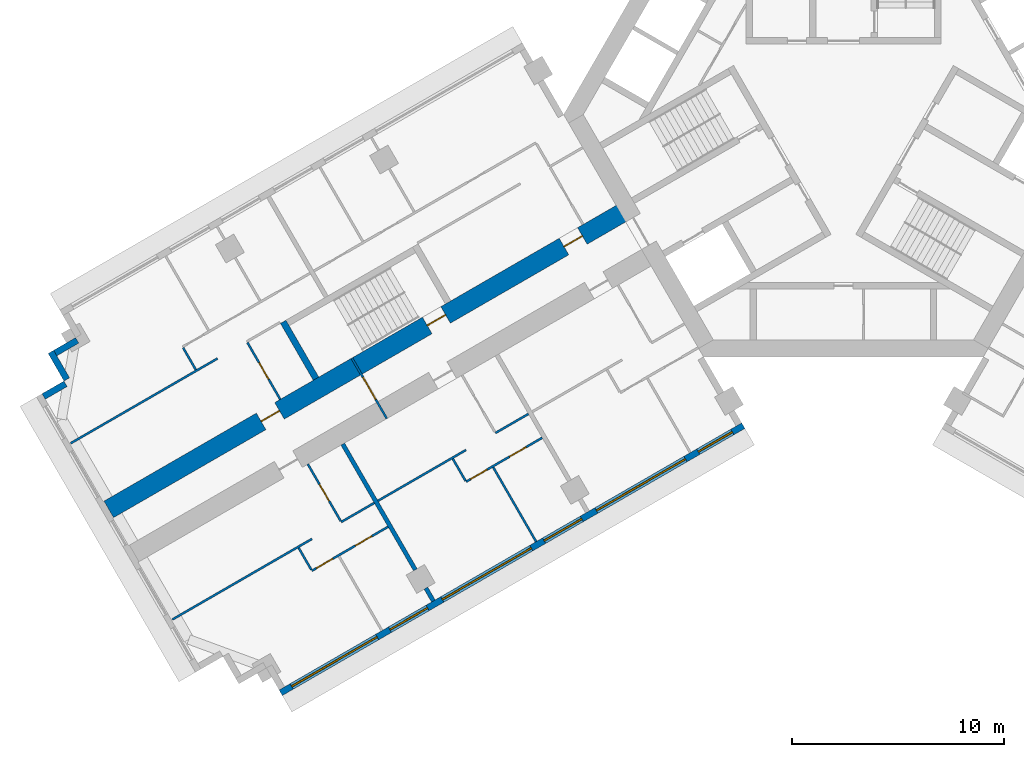
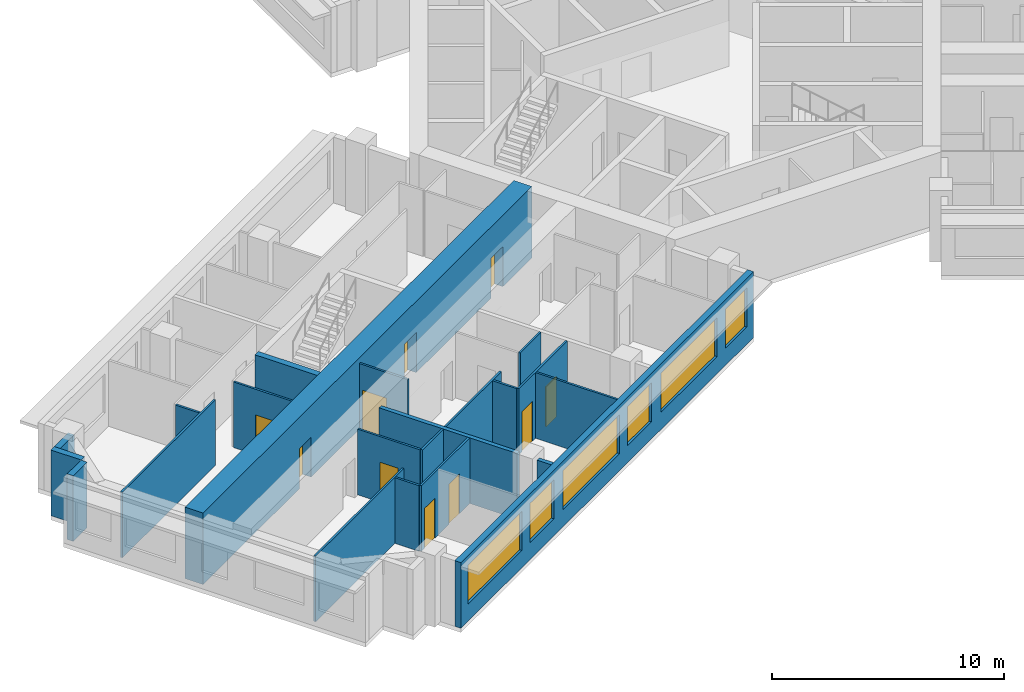
# One storey, part 2 of 12: 22 walls, 10 doors, 6 windows, 16 openings.
"""IFC4 building model written with IfcOpenShell, lengths in metres."""

from ifc_helpers import new_model, si_unit, direction, frame, frame_2d, origin, place, context, subcontext, project, spatial, rectangle, extrude, material, layer, layer_set, type_object, element, fill, save


model = new_model("IFC4")

# Units and contexts
model_context = context("Model", 3, precision=1e-05, world=origin(), true_north=direction((0.0, 1.0)))
body_context = subcontext(model_context, "Body", "Model", "MODEL_VIEW")
ifc_project = project(units=[si_unit("LENGTHUNIT", "METRE"), si_unit("AREAUNIT", "SQUARE_METRE"), si_unit("VOLUMEUNIT", "CUBIC_METRE"), si_unit("PLANEANGLEUNIT", "RADIAN"), si_unit("MASSUNIT", "GRAM", prefix="KILO")], contexts=[model_context])

# Site, building, storey
site_placement = place(None, origin())
site = spatial("IfcSite", under=ifc_project, at=site_placement, CompositionType="ELEMENT")
building_placement = place(site_placement, origin())
building = spatial("IfcBuilding", under=site, at=building_placement, Name="Impinga Residences", CompositionType="ELEMENT")
storey_placement = place(building_placement, frame((0.0, 0.0, 177.25)))
storey = spatial("IfcBuildingStorey", under=building, at=storey_placement, Name="L44", CompositionType="ELEMENT", Elevation=177.25)

# Wall, openings, doors
ifc_material_1 = material(Name="Concrete C60/75", Category="concrete")
ifc_layer_1 = layer(ifc_material_1, 0.89990234375)
ifc_layer_set_1 = layer_set([ifc_layer_1], Name="Concrete C60/75")
wall_type_1 = type_object("IfcWallType", Name="BW2 corridor buttress wall, L24 to L44 900", PredefinedType="SHEAR", material=ifc_layer_set_1)
wall_1_placement = place(storey_placement, frame((-10.153564453125, -4.4765625, 0.0), z_axis=(0.0, 0.0, 1.0), x_axis=(-0.866027127636, -0.49999701419, 0.0)))
wall_1 = element("IfcWall", 1, at=wall_1_placement, inside=storey, type_object=wall_type_1, Name="Corridor wall BW2 WD L44", PredefinedType="SHEAR", context=body_context, shape_type="SweptSolid", body=[
    extrude(rectangle(XDim=28.300048828125, YDim=0.89990234375, at=frame_2d((14.14990234375, 0.0))), origin(), (0.0, 0.0, 1.0), 3.75),
])
opening_1_placement = place(wall_1_placement, frame((9.949951171875, 0.0, 0.0)))
opening_1 = element("IfcOpeningElement", 2, at=opening_1_placement, cuts=wall_1, Name="Opening D5", PredefinedType="OPENING", context=body_context, shape_type="SweptSolid", body=[
    extrude(rectangle(XDim=1.0, YDim=2.10009765625, at=frame_2d((0.5, 1.050048828125))), frame((0.0, 0.4599609375, 0.0), z_axis=(0.0, -1.0, 0.0), x_axis=(1.0, 0.0, 0.0)), (0.0, 0.0, 1.0), 0.919921875),
])
opening_2_placement = place(wall_1_placement, frame((2.5, 0.0, 0.0)))
opening_2 = element("IfcOpeningElement", 3, at=opening_2_placement, cuts=wall_1, Name="Opening D1", PredefinedType="OPENING", context=body_context, shape_type="SweptSolid", body=[
    extrude(rectangle(XDim=1.0, YDim=2.10009765625, at=frame_2d((0.5, 1.050048828125))), frame((0.0, 0.4599609375, 0.0), z_axis=(0.0, -1.0, 0.0), x_axis=(1.0, 0.0, 0.0)), (0.0, 0.0, 1.0), 0.919921875),
])
opening_3_placement = place(wall_1_placement, frame((19.0, 0.0, 0.0)))
opening_3 = element("IfcOpeningElement", 4, at=opening_3_placement, cuts=wall_1, Name="Opening D1", PredefinedType="OPENING", context=body_context, shape_type="SweptSolid", body=[
    extrude(rectangle(XDim=1.0, YDim=2.10009765625, at=frame_2d((0.5, 1.050048828125))), frame((0.0, 0.4599609375, 0.0), z_axis=(0.0, -1.0, 0.0), x_axis=(1.0, 0.0, 0.0)), (0.0, 0.0, 1.0), 0.919921875),
])
ifc_material_2 = material(Name="Timber door set", Category="wood")
door_type_1 = type_object("IfcDoorType", Name="D1 apartment entrance door 1000x2100", OperationType="SINGLE_SWING_LEFT", PredefinedType="DOOR", material=ifc_material_2)
door_1_placement = place(opening_2_placement, origin())
door_1 = element("IfcDoor", 5, at=door_1_placement, inside=storey, type_object=door_type_1, Name="Apartment L44-WF1 entrance", OperationType="SINGLE_SWING_LEFT", OverallHeight=2.10009765625, OverallWidth=1.0, PredefinedType="DOOR", context=body_context, shape_type="SweptSolid", body=[
    extrude(rectangle(XDim=1.0, YDim=2.10009765625, at=frame_2d((0.5, 1.050048828125))), frame((0.0, 0.02490234375, 0.0), z_axis=(0.0, -1.0, 0.0), x_axis=(1.0, 0.0, 0.0)), (0.0, 0.0, 1.0), 0.050048828125),
])
fill(opening_2, door_1)
door_2_placement = place(opening_3_placement, origin())
door_2 = element("IfcDoor", 6, at=door_2_placement, inside=storey, type_object=door_type_1, Name="Apartment L44-WF2 entrance", OperationType="SINGLE_SWING_RIGHT", OverallHeight=2.10009765625, OverallWidth=1.0, PredefinedType="DOOR", context=body_context, shape_type="SweptSolid", body=[
    extrude(rectangle(XDim=1.0, YDim=2.10009765625, at=frame_2d((0.5, 1.050048828125))), frame((0.0, 0.02490234375, 0.0), z_axis=(0.0, -1.0, 0.0), x_axis=(1.0, 0.0, 0.0)), (0.0, 0.0, 1.0), 0.050048828125),
])
fill(opening_3, door_2)
door_type_2 = type_object("IfcDoorType", Name="D5 stair door 1000x2100", OperationType="SINGLE_SWING_LEFT", PredefinedType="DOOR", material=ifc_material_2)
door_3_placement = place(opening_1_placement, origin())
door_3 = element("IfcDoor", 7, at=door_3_placement, inside=storey, type_object=door_type_2, Name="Wing stair door W", OperationType="SINGLE_SWING_LEFT", OverallHeight=2.10009765625, OverallWidth=1.0, PredefinedType="DOOR", context=body_context, shape_type="SweptSolid", body=[
    extrude(rectangle(XDim=1.0, YDim=2.10009765625, at=frame_2d((0.5, 1.050048828125))), frame((0.0, 0.02490234375, 0.0), z_axis=(0.0, -1.0, 0.0), x_axis=(1.0, 0.0, 0.0)), (0.0, 0.0, 1.0), 0.050048828125),
])
fill(opening_1, door_3)

# Wall, opening, door
ifc_material_3 = material(Name="Concrete blockwork", Category="masonry")
ifc_layer_2 = layer(ifc_material_3, 0.10009765625)
ifc_layer_set_2 = layer_set([ifc_layer_2], Name="CP1 core room partition, blockwork 100")
wall_type_2 = type_object("IfcWallType", Name="CP1 core room partition, blockwork 100", PredefinedType="PARTITIONING", material=ifc_layer_set_2)
wall_2_placement = place(storey_placement, frame((-21.545654296875, -14.3447265625, 0.0), z_axis=(0.0, 0.0, 1.0), x_axis=(-0.50002983664, 0.866008176907, 0.0)))
wall_2 = element("IfcWall", 8, at=wall_2_placement, inside=storey, type_object=wall_type_2, Name="Core room partition, blockwork L44:W:PLB", PredefinedType="PARTITIONING", context=body_context, shape_type="SweptSolid", body=[
    extrude(rectangle(XDim=3.300048828125, YDim=0.10009765625, at=frame_2d((1.64990234375, 0.0))), origin(), (0.0, 0.0, 1.0), 3.449951171875),
])
opening_4_placement = place(wall_2_placement, frame((1.050048828125, 0.0, 0.0)))
opening_4 = element("IfcOpeningElement", 9, at=opening_4_placement, cuts=wall_2, Name="Opening D3", PredefinedType="OPENING", context=body_context, shape_type="SweptSolid", body=[
    extrude(rectangle(XDim=1.199951171875, YDim=2.10009765625, at=frame_2d((0.60009765625, 1.050048828125))), frame((0.0, 0.06005859375, 0.0), z_axis=(0.0, -1.0, 0.0), x_axis=(1.0, 0.0, 0.0)), (0.0, 0.0, 1.0), 0.1201171875),
])
door_type_3 = type_object("IfcDoorType", Name="D3 room door, leaf and a half 1200x2100", OperationType="DOUBLE_SWING_LEFT", PredefinedType="DOOR", material=ifc_material_2)
door_4_placement = place(opening_4_placement, origin())
door_4 = element("IfcDoor", 10, at=door_4_placement, inside=storey, type_object=door_type_3, Name="Private lobby door W", OperationType="DOUBLE_SWING_LEFT", OverallHeight=2.10009765625, OverallWidth=1.199951171875, PredefinedType="DOOR", context=body_context, shape_type="SweptSolid", body=[
    extrude(rectangle(XDim=1.199951171875, YDim=2.10009765625, at=frame_2d((0.60009765625, 1.050048828125))), frame((0.0, 0.02490234375, 0.0), z_axis=(0.0, -1.0, 0.0), x_axis=(1.0, 0.0, 0.0)), (0.0, 0.0, 1.0), 0.050048828125),
])
fill(opening_4, door_4)

# Walls
ifc_material_4 = material(Name="Terracotta rainscreen on blockwork", Category="masonry")
ifc_layer_3 = layer(ifc_material_4, 0.300048828125)
ifc_layer_set_3 = layer_set([ifc_layer_3], Name="EW1 external wall, terracotta rainscreen on blockwork 300")
wall_type_3 = type_object("IfcWallType", Name="EW1 external wall, terracotta rainscreen on blockwork 300", PredefinedType="SOLIDWALL", material=ifc_layer_set_3)
wall_3_placement = place(storey_placement, frame((-37.737060546875, -13.300537109375, 0.0), z_axis=(0.0, 0.0, 1.0), x_axis=(0.865971243484, 0.500093796661, 0.0)))
element("IfcWall", 11, at=wall_3_placement, inside=storey, type_object=wall_type_3, Name="External wall EW1 L44", PredefinedType="SOLIDWALL", context=body_context, shape_type="SweptSolid", body=[
    extrude(rectangle(XDim=1.195068359375, YDim=0.300048828125, at=frame_2d((0.59765625, 0.0))), origin(), (0.0, 0.0, 1.0), 3.449951171875),
])
wall_4_placement = place(storey_placement, frame((-36.64306640625, -12.49560546875, 0.0), z_axis=(0.0, 0.0, 1.0), x_axis=(-0.499990139034, 0.866031096941, 0.0)))
element("IfcWall", 12, at=wall_4_placement, inside=storey, type_object=wall_type_3, Name="External wall EW1 L44", PredefinedType="SOLIDWALL", context=body_context, shape_type="SweptSolid", body=[
    extrude(rectangle(XDim=1.5, YDim=0.300048828125, at=frame_2d((0.75, 0.0))), origin(), (0.0, 0.0, 1.0), 3.449951171875),
])
wall_5_placement = place(storey_placement, frame((-37.18798828125, -11.25146484375, 0.0), z_axis=(0.0, 0.0, 1.0), x_axis=(0.866059708757, 0.499940577336, 0.0)))
element("IfcWall", 13, at=wall_5_placement, inside=storey, type_object=wall_type_3, Name="External wall EW1 L44", PredefinedType="SOLIDWALL", context=body_context, shape_type="SweptSolid", body=[
    extrude(rectangle(XDim=1.195068359375, YDim=0.300048828125, at=frame_2d((0.59765625, 0.0))), origin(), (0.0, 0.0, 1.0), 3.449951171875),
])

# Wall, openings, windows
wall_6_placement = place(storey_placement, frame((-4.72509765625, -14.67919921875, 0.0), z_axis=(0.0, 0.0, 1.0), x_axis=(-0.866026832479, -0.499997525421, 0.0)))
wall_6 = element("IfcWall", 14, at=wall_6_placement, inside=storey, type_object=wall_type_3, Name="External wall EW1 L44", PredefinedType="SOLIDWALL", context=body_context, shape_type="SweptSolid", body=[
    extrude(rectangle(XDim=25.199951171875, YDim=0.300048828125, at=frame_2d((12.60009765625, 0.0))), origin(), (0.0, 0.0, 1.0), 3.449951171875),
])
opening_5_placement = place(wall_6_placement, frame((0.60009765625, 0.0, 0.89990234375)))
opening_5 = element("IfcOpeningElement", 15, at=opening_5_placement, cuts=wall_6, Name="Opening W15", PredefinedType="OPENING", context=body_context, shape_type="SweptSolid", body=[
    extrude(rectangle(XDim=1.85009765625, YDim=2.050048828125, at=frame_2d((0.925048828125, 1.02490234375))), frame((0.0, 0.159912109375, 0.0), z_axis=(0.0, -1.0, 0.0), x_axis=(1.0, 0.0, 0.0)), (0.0, 0.0, 1.0), 0.320068359375),
])
opening_6_placement = place(wall_6_placement, frame((3.14990234375, 0.0, 0.89990234375)))
opening_6 = element("IfcOpeningElement", 16, at=opening_6_placement, cuts=wall_6, Name="Opening W6", PredefinedType="OPENING", context=body_context, shape_type="SweptSolid", body=[
    extrude(rectangle(XDim=4.85009765625, YDim=2.050048828125, at=frame_2d((2.425048828125, 1.02490234375))), frame((0.0, 0.159912109375, 0.0), z_axis=(0.0, -1.0, 0.0), x_axis=(1.0, 0.0, 0.0)), (0.0, 0.0, 1.0), 0.320068359375),
])
opening_7_placement = place(wall_6_placement, frame((8.800048828125, 0.0, 0.89990234375)))
opening_7 = element("IfcOpeningElement", 17, at=opening_7_placement, cuts=wall_6, Name="Opening W14", PredefinedType="OPENING", context=body_context, shape_type="SweptSolid", body=[
    extrude(rectangle(XDim=2.050048828125, YDim=2.050048828125, at=frame_2d((1.02490234375, 1.02490234375))), frame((0.0, 0.159912109375, 0.0), z_axis=(0.0, -1.0, 0.0), x_axis=(1.0, 0.0, 0.0)), (0.0, 0.0, 1.0), 0.320068359375),
])
opening_8_placement = place(wall_6_placement, frame((11.550048828125, 0.0, 0.89990234375)))
opening_8 = element("IfcOpeningElement", 18, at=opening_8_placement, cuts=wall_6, Name="Opening W6", PredefinedType="OPENING", context=body_context, shape_type="SweptSolid", body=[
    extrude(rectangle(XDim=4.85009765625, YDim=2.050048828125, at=frame_2d((2.425048828125, 1.02490234375))), frame((0.0, 0.159912109375, 0.0), z_axis=(0.0, -1.0, 0.0), x_axis=(1.0, 0.0, 0.0)), (0.0, 0.0, 1.0), 0.320068359375),
])
opening_9_placement = place(wall_6_placement, frame((17.199951171875, 0.0, 0.89990234375)))
opening_9 = element("IfcOpeningElement", 19, at=opening_9_placement, cuts=wall_6, Name="Opening W14", PredefinedType="OPENING", context=body_context, shape_type="SweptSolid", body=[
    extrude(rectangle(XDim=2.050048828125, YDim=2.050048828125, at=frame_2d((1.02490234375, 1.02490234375))), frame((0.0, 0.159912109375, 0.0), z_axis=(0.0, -1.0, 0.0), x_axis=(1.0, 0.0, 0.0)), (0.0, 0.0, 1.0), 0.320068359375),
])
opening_10_placement = place(wall_6_placement, frame((19.949951171875, 0.0, 0.89990234375)))
opening_10 = element("IfcOpeningElement", 20, at=opening_10_placement, cuts=wall_6, Name="Opening W10", PredefinedType="OPENING", context=body_context, shape_type="SweptSolid", body=[
    extrude(rectangle(XDim=4.64990234375, YDim=2.050048828125, at=frame_2d((2.324951171875, 1.02490234375))), frame((0.0, 0.159912109375, 0.0), z_axis=(0.0, -1.0, 0.0), x_axis=(1.0, 0.0, 0.0)), (0.0, 0.0, 1.0), 0.320068359375),
])
ifc_material_5 = material(Name="Aluminium window, clear double glazing", Category="aluminium")
window_type_1 = type_object("IfcWindowType", Name="W10 ribbon window 4650x2050", PartitioningType="SINGLE_PANEL", PredefinedType="WINDOW", material=ifc_material_5)
window_1_placement = place(opening_10_placement, origin())
window_1 = element("IfcWindow", 21, at=window_1_placement, inside=storey, type_object=window_type_1, Name="Window L44", OverallHeight=2.050048828125, OverallWidth=4.64990234375, PartitioningType="SINGLE_PANEL", PredefinedType="WINDOW", context=body_context, shape_type="SweptSolid", body=[
    extrude(rectangle(XDim=4.64990234375, YDim=2.050048828125, at=frame_2d((2.324951171875, 1.02490234375))), frame((0.0, 0.030029296875, 0.0), z_axis=(0.0, -1.0, 0.0), x_axis=(1.0, 0.0, 0.0)), (0.0, 0.0, 1.0), 0.06005859375),
])
fill(opening_10, window_1)
window_type_2 = type_object("IfcWindowType", Name="W14 ribbon window 2050x2050", PartitioningType="SINGLE_PANEL", PredefinedType="WINDOW", material=ifc_material_5)
window_2_placement = place(opening_7_placement, origin())
window_2 = element("IfcWindow", 22, at=window_2_placement, inside=storey, type_object=window_type_2, Name="Window L44", OverallHeight=2.050048828125, OverallWidth=2.050048828125, PartitioningType="SINGLE_PANEL", PredefinedType="WINDOW", context=body_context, shape_type="SweptSolid", body=[
    extrude(rectangle(XDim=2.050048828125, YDim=2.050048828125, at=frame_2d((1.02490234375, 1.02490234375))), frame((0.0, 0.030029296875, 0.0), z_axis=(0.0, -1.0, 0.0), x_axis=(1.0, 0.0, 0.0)), (0.0, 0.0, 1.0), 0.06005859375),
])
fill(opening_7, window_2)
window_3_placement = place(opening_9_placement, origin())
window_3 = element("IfcWindow", 23, at=window_3_placement, inside=storey, type_object=window_type_2, Name="Window L44", OverallHeight=2.050048828125, OverallWidth=2.050048828125, PartitioningType="SINGLE_PANEL", PredefinedType="WINDOW", context=body_context, shape_type="SweptSolid", body=[
    extrude(rectangle(XDim=2.050048828125, YDim=2.050048828125, at=frame_2d((1.02490234375, 1.02490234375))), frame((0.0, 0.030029296875, 0.0), z_axis=(0.0, -1.0, 0.0), x_axis=(1.0, 0.0, 0.0)), (0.0, 0.0, 1.0), 0.06005859375),
])
fill(opening_9, window_3)
window_type_3 = type_object("IfcWindowType", Name="W15 ribbon window 1850x2050", PartitioningType="SINGLE_PANEL", PredefinedType="WINDOW", material=ifc_material_5)
window_4_placement = place(opening_5_placement, origin())
window_4 = element("IfcWindow", 24, at=window_4_placement, inside=storey, type_object=window_type_3, Name="Window L44", OverallHeight=2.050048828125, OverallWidth=1.85009765625, PartitioningType="SINGLE_PANEL", PredefinedType="WINDOW", context=body_context, shape_type="SweptSolid", body=[
    extrude(rectangle(XDim=1.85009765625, YDim=2.050048828125, at=frame_2d((0.925048828125, 1.02490234375))), frame((0.0, 0.030029296875, 0.0), z_axis=(0.0, -1.0, 0.0), x_axis=(1.0, 0.0, 0.0)), (0.0, 0.0, 1.0), 0.06005859375),
])
fill(opening_5, window_4)
window_type_4 = type_object("IfcWindowType", Name="W6 ribbon window 4850x2050", PartitioningType="SINGLE_PANEL", PredefinedType="WINDOW", material=ifc_material_5)
window_5_placement = place(opening_6_placement, origin())
window_5 = element("IfcWindow", 25, at=window_5_placement, inside=storey, type_object=window_type_4, Name="Window L44", OverallHeight=2.050048828125, OverallWidth=4.85009765625, PartitioningType="SINGLE_PANEL", PredefinedType="WINDOW", context=body_context, shape_type="SweptSolid", body=[
    extrude(rectangle(XDim=4.85009765625, YDim=2.050048828125, at=frame_2d((2.425048828125, 1.02490234375))), frame((0.0, 0.030029296875, 0.0), z_axis=(0.0, -1.0, 0.0), x_axis=(1.0, 0.0, 0.0)), (0.0, 0.0, 1.0), 0.06005859375),
])
fill(opening_6, window_5)
window_6_placement = place(opening_8_placement, origin())
window_6 = element("IfcWindow", 26, at=window_6_placement, inside=storey, type_object=window_type_4, Name="Window L44", OverallHeight=2.050048828125, OverallWidth=4.85009765625, PartitioningType="SINGLE_PANEL", PredefinedType="WINDOW", context=body_context, shape_type="SweptSolid", body=[
    extrude(rectangle(XDim=4.85009765625, YDim=2.050048828125, at=frame_2d((2.425048828125, 1.02490234375))), frame((0.0, 0.030029296875, 0.0), z_axis=(0.0, -1.0, 0.0), x_axis=(1.0, 0.0, 0.0)), (0.0, 0.0, 1.0), 0.06005859375),
])
fill(opening_8, window_6)

# Walls
ifc_material_6 = material(Name="Gypsum board on steel studs", Category="steel")
ifc_layer_4 = layer(ifc_material_6, 0.10009765625)
ifc_layer_set_4 = layer_set([ifc_layer_4], Name="Gypsum board on steel studs")
wall_type_4 = type_object("IfcWallType", Name="IP1 partition 100", PredefinedType="PARTITIONING", material=ifc_layer_set_4)
wall_7_placement = place(storey_placement, frame((-14.861328125, -14.122802734375, 0.0), z_axis=(0.0, 0.0, 1.0), x_axis=(-0.866047807691, -0.499961193289, 0.0)))
element("IfcWall", 27, at=wall_7_placement, inside=storey, type_object=wall_type_4, Name="Partition L44-WA2:DIV0", PredefinedType="PARTITIONING", context=body_context, shape_type="SweptSolid", body=[
    extrude(rectangle(XDim=1.800048828125, YDim=0.10009765625, at=frame_2d((0.89990234375, 0.0))), origin(), (0.0, 0.0, 1.0), 3.449951171875),
])
wall_8_placement = place(storey_placement, frame((-17.8056640625, -15.82275390625, 0.0), z_axis=(0.0, 0.0, 1.0), x_axis=(-0.866037363387, -0.499979284789, 0.0)))
element("IfcWall", 28, at=wall_8_placement, inside=storey, type_object=wall_type_4, Name="Partition L44-WA2:DIV1", PredefinedType="PARTITIONING", context=body_context, shape_type="SweptSolid", body=[
    extrude(rectangle(XDim=4.800048828125, YDim=0.10009765625, at=frame_2d((2.39990234375, 0.0))), origin(), (0.0, 0.0, 1.0), 3.449951171875),
])

# Wall, openings, doors
wall_9_placement = place(storey_placement, frame((-14.211181640625, -15.24853515625, 0.0), z_axis=(0.0, 0.0, 1.0), x_axis=(-0.86602981871, -0.499992353047, 0.0)))
wall_9 = element("IfcWall", 29, at=wall_9_placement, inside=storey, type_object=wall_type_4, Name="Partition L44-WA2:STRIP", PredefinedType="PARTITIONING", context=body_context, shape_type="SweptSolid", body=[
    extrude(rectangle(XDim=4.14990234375, YDim=0.10009765625, at=frame_2d((2.074951171875, 0.0))), origin(), (0.0, 0.0, 1.0), 3.449951171875),
])
opening_11_placement = place(wall_9_placement, frame((0.875, 0.0, 0.0)))
opening_11 = element("IfcOpeningElement", 30, at=opening_11_placement, cuts=wall_9, Name="Opening D2", PredefinedType="OPENING", context=body_context, shape_type="SweptSolid", body=[
    extrude(rectangle(XDim=0.89990234375, YDim=2.10009765625, at=frame_2d((0.449951171875, 1.050048828125))), frame((0.0, 0.06005859375, 0.0), z_axis=(0.0, -1.0, 0.0), x_axis=(1.0, 0.0, 0.0)), (0.0, 0.0, 1.0), 0.1201171875),
])
opening_12_placement = place(wall_9_placement, frame((3.0, 0.0, 0.0)))
opening_12 = element("IfcOpeningElement", 31, at=opening_12_placement, cuts=wall_9, Name="Opening D2", PredefinedType="OPENING", context=body_context, shape_type="SweptSolid", body=[
    extrude(rectangle(XDim=0.89990234375, YDim=2.10009765625, at=frame_2d((0.449951171875, 1.050048828125))), frame((0.0, 0.06005859375, 0.0), z_axis=(0.0, -1.0, 0.0), x_axis=(1.0, 0.0, 0.0)), (0.0, 0.0, 1.0), 0.1201171875),
])
door_type_4 = type_object("IfcDoorType", Name="D2 internal door 900x2100", OperationType="SINGLE_SWING_LEFT", PredefinedType="DOOR", material=ifc_material_2)
door_5_placement = place(opening_11_placement, origin())
door_5 = element("IfcDoor", 32, at=door_5_placement, inside=storey, type_object=door_type_4, Name="Apartment L44-WA2 room door", OperationType="SINGLE_SWING_LEFT", OverallHeight=2.10009765625, OverallWidth=0.89990234375, PredefinedType="DOOR", context=body_context, shape_type="SweptSolid", body=[
    extrude(rectangle(XDim=0.89990234375, YDim=2.10009765625, at=frame_2d((0.449951171875, 1.050048828125))), frame((0.0, 0.02490234375, 0.0), z_axis=(0.0, -1.0, 0.0), x_axis=(1.0, 0.0, 0.0)), (0.0, 0.0, 1.0), 0.050048828125),
])
fill(opening_11, door_5)
door_6_placement = place(opening_12_placement, origin())
door_6 = element("IfcDoor", 33, at=door_6_placement, inside=storey, type_object=door_type_4, Name="Apartment L44-WA2 room door", OperationType="SINGLE_SWING_RIGHT", OverallHeight=2.10009765625, OverallWidth=0.89990234375, PredefinedType="DOOR", context=body_context, shape_type="SweptSolid", body=[
    extrude(rectangle(XDim=0.89990234375, YDim=2.10009765625, at=frame_2d((0.449951171875, 1.050048828125))), frame((0.0, 0.02490234375, 0.0), z_axis=(0.0, -1.0, 0.0), x_axis=(1.0, 0.0, 0.0)), (0.0, 0.0, 1.0), 0.050048828125),
])
fill(opening_12, door_6)

# Walls
wall_10_placement = place(storey_placement, frame((-18.43017578125, -16.240966796875, 0.0), z_axis=(0.0, 0.0, 1.0), x_axis=(0.499880961361, -0.866094119867, 0.0)))
element("IfcWall", 34, at=wall_10_placement, inside=storey, type_object=wall_type_4, Name="Partition L44-WA2:SE1", PredefinedType="PARTITIONING", context=body_context, shape_type="SweptSolid", body=[
    extrude(rectangle(XDim=1.199951171875, YDim=0.10009765625, at=frame_2d((0.60009765625, 0.0))), origin(), (0.0, 0.0, 1.0), 3.449951171875),
])
wall_11_placement = place(storey_placement, frame((-16.5244140625, -16.641845703125, 0.0), z_axis=(0.0, 0.0, 1.0), x_axis=(0.499990325971, -0.866030989016, 0.0)))
element("IfcWall", 35, at=wall_11_placement, inside=storey, type_object=wall_type_4, Name="Partition L44-WA2:OB1", PredefinedType="PARTITIONING", context=body_context, shape_type="SweptSolid", body=[
    extrude(rectangle(XDim=4.0498046875, YDim=0.10009765625, at=frame_2d((2.02490234375, 0.0))), origin(), (0.0, 0.0, 1.0), 3.449951171875),
])
wall_12_placement = place(storey_placement, frame((-22.1357421875, -18.32275390625, 0.0), z_axis=(0.0, 0.0, 1.0), x_axis=(-0.866047807691, -0.499961193289, 0.0)))
element("IfcWall", 36, at=wall_12_placement, inside=storey, type_object=wall_type_4, Name="Partition L44-WA3:DIV0", PredefinedType="PARTITIONING", context=body_context, shape_type="SweptSolid", body=[
    extrude(rectangle(XDim=1.800048828125, YDim=0.10009765625, at=frame_2d((0.89990234375, 0.0))), origin(), (0.0, 0.0, 1.0), 3.449951171875),
])
wall_13_placement = place(storey_placement, frame((-25.080322265625, -20.022705078125, 0.0), z_axis=(0.0, 0.0, 1.0), x_axis=(-0.866022425744, -0.500005158081, 0.0)))
element("IfcWall", 37, at=wall_13_placement, inside=storey, type_object=wall_type_4, Name="Partition L44-WA3:DIV1", PredefinedType="PARTITIONING", context=body_context, shape_type="SweptSolid", body=[
    extrude(rectangle(XDim=7.60009765625, YDim=0.10009765625, at=frame_2d((3.800048828125, 0.0))), origin(), (0.0, 0.0, 1.0), 3.449951171875),
])

# Wall, openings, doors
wall_14_placement = place(storey_placement, frame((-21.48583984375, -19.448486328125, 0.0), z_axis=(0.0, 0.0, 1.0), x_axis=(-0.86602981871, -0.499992353047, 0.0)))
wall_14 = element("IfcWall", 38, at=wall_14_placement, inside=storey, type_object=wall_type_4, Name="Partition L44-WA3:STRIP", PredefinedType="PARTITIONING", context=body_context, shape_type="SweptSolid", body=[
    extrude(rectangle(XDim=4.14990234375, YDim=0.10009765625, at=frame_2d((2.074951171875, 0.0))), origin(), (0.0, 0.0, 1.0), 3.449951171875),
])
opening_13_placement = place(wall_14_placement, frame((0.875, 0.0, 0.0)))
opening_13 = element("IfcOpeningElement", 39, at=opening_13_placement, cuts=wall_14, Name="Opening D2", PredefinedType="OPENING", context=body_context, shape_type="SweptSolid", body=[
    extrude(rectangle(XDim=0.89990234375, YDim=2.10009765625, at=frame_2d((0.449951171875, 1.050048828125))), frame((0.0, 0.06005859375, 0.0), z_axis=(0.0, -1.0, 0.0), x_axis=(1.0, 0.0, 0.0)), (0.0, 0.0, 1.0), 0.1201171875),
])
opening_14_placement = place(wall_14_placement, frame((3.0, 0.0, 0.0)))
opening_14 = element("IfcOpeningElement", 40, at=opening_14_placement, cuts=wall_14, Name="Opening D2", PredefinedType="OPENING", context=body_context, shape_type="SweptSolid", body=[
    extrude(rectangle(XDim=0.89990234375, YDim=2.10009765625, at=frame_2d((0.449951171875, 1.050048828125))), frame((0.0, 0.06005859375, 0.0), z_axis=(0.0, -1.0, 0.0), x_axis=(1.0, 0.0, 0.0)), (0.0, 0.0, 1.0), 0.1201171875),
])
door_7_placement = place(opening_13_placement, origin())
door_7 = element("IfcDoor", 41, at=door_7_placement, inside=storey, type_object=door_type_4, Name="Apartment L44-WA3 room door", OperationType="SINGLE_SWING_LEFT", OverallHeight=2.10009765625, OverallWidth=0.89990234375, PredefinedType="DOOR", context=body_context, shape_type="SweptSolid", body=[
    extrude(rectangle(XDim=0.89990234375, YDim=2.10009765625, at=frame_2d((0.449951171875, 1.050048828125))), frame((0.0, 0.02490234375, 0.0), z_axis=(0.0, -1.0, 0.0), x_axis=(1.0, 0.0, 0.0)), (0.0, 0.0, 1.0), 0.050048828125),
])
fill(opening_13, door_7)
door_8_placement = place(opening_14_placement, origin())
door_8 = element("IfcDoor", 42, at=door_8_placement, inside=storey, type_object=door_type_4, Name="Apartment L44-WA3 room door", OperationType="SINGLE_SWING_RIGHT", OverallHeight=2.10009765625, OverallWidth=0.89990234375, PredefinedType="DOOR", context=body_context, shape_type="SweptSolid", body=[
    extrude(rectangle(XDim=0.89990234375, YDim=2.10009765625, at=frame_2d((0.449951171875, 1.050048828125))), frame((0.0, 0.02490234375, 0.0), z_axis=(0.0, -1.0, 0.0), x_axis=(1.0, 0.0, 0.0)), (0.0, 0.0, 1.0), 0.050048828125),
])
fill(opening_14, door_8)

# Wall
wall_15_placement = place(storey_placement, frame((-25.704833984375, -20.44091796875, 0.0), z_axis=(0.0, 0.0, 1.0), x_axis=(0.500033551112, -0.866006032174, 0.0)))
element("IfcWall", 43, at=wall_15_placement, inside=storey, type_object=wall_type_4, Name="Partition L44-WA3:SE1", PredefinedType="PARTITIONING", context=body_context, shape_type="SweptSolid", body=[
    extrude(rectangle(XDim=1.2001953125, YDim=0.10009765625, at=frame_2d((0.60009765625, 0.0))), origin(), (0.0, 0.0, 1.0), 3.449951171875),
])

# Wall, opening, door
wall_16_placement = place(storey_placement, frame((-25.269775390625, -16.49462890625, 0.0), z_axis=(0.0, 0.0, 1.0), x_axis=(0.49999285859, -0.86602952684, 0.0)))
wall_16 = element("IfcWall", 44, at=wall_16_placement, inside=storey, type_object=wall_type_4, Name="Partition L44-WA3:IB1", PredefinedType="PARTITIONING", context=body_context, shape_type="SweptSolid", body=[
    extrude(rectangle(XDim=3.10009765625, YDim=0.10009765625, at=frame_2d((1.550048828125, 0.0))), origin(), (0.0, 0.0, 1.0), 3.449951171875),
])
opening_15_placement = place(wall_16_placement, frame((1.10009765625, 0.0, 0.0)))
opening_15 = element("IfcOpeningElement", 45, at=opening_15_placement, cuts=wall_16, Name="Opening D2", PredefinedType="OPENING", context=body_context, shape_type="SweptSolid", body=[
    extrude(rectangle(XDim=0.89990234375, YDim=2.10009765625, at=frame_2d((0.449951171875, 1.050048828125))), frame((0.0, 0.06005859375, 0.0), z_axis=(0.0, -1.0, 0.0), x_axis=(1.0, 0.0, 0.0)), (0.0, 0.0, 1.0), 0.1201171875),
])
door_9_placement = place(opening_15_placement, origin())
door_9 = element("IfcDoor", 46, at=door_9_placement, inside=storey, type_object=door_type_4, Name="Apartment L44-WA3 bathroom door", OperationType="SINGLE_SWING_LEFT", OverallHeight=2.10009765625, OverallWidth=0.89990234375, PredefinedType="DOOR", context=body_context, shape_type="SweptSolid", body=[
    extrude(rectangle(XDim=0.89990234375, YDim=2.10009765625, at=frame_2d((0.449951171875, 1.050048828125))), frame((0.0, 0.02490234375, 0.0), z_axis=(0.0, -1.0, 0.0), x_axis=(1.0, 0.0, 0.0)), (0.0, 0.0, 1.0), 0.050048828125),
])
fill(opening_15, door_9)

# Walls
wall_17_placement = place(storey_placement, frame((-29.533935546875, -11.5087890625, 0.0), z_axis=(0.0, 0.0, 1.0), x_axis=(-0.866026010844, -0.49999894854, 0.0)))
element("IfcWall", 47, at=wall_17_placement, inside=storey, type_object=wall_type_4, Name="Partition L44-WF2:DIV1", PredefinedType="PARTITIONING", context=body_context, shape_type="SweptSolid", body=[
    extrude(rectangle(XDim=8.0, YDim=0.10009765625, at=frame_2d((4.0, 0.0))), origin(), (0.0, 0.0, 1.0), 3.449951171875),
])
wall_18_placement = place(storey_placement, frame((-30.554931640625, -12.04052734375, 0.0), z_axis=(0.0, 0.0, 1.0), x_axis=(-0.499880961361, 0.866094119867, 0.0)))
element("IfcWall", 48, at=wall_18_placement, inside=storey, type_object=wall_type_4, Name="Partition L44-WF2:SE1", PredefinedType="PARTITIONING", context=body_context, shape_type="SweptSolid", body=[
    extrude(rectangle(XDim=1.199951171875, YDim=0.10009765625, at=frame_2d((0.60009765625, 0.0))), origin(), (0.0, 0.0, 1.0), 3.449951171875),
])

# Wall, opening, door
wall_19_placement = place(storey_placement, frame((-26.5732421875, -13.436767578125, 0.0), z_axis=(0.0, 0.0, 1.0), x_axis=(-0.500026960575, 0.86600983753, 0.0)))
wall_19 = element("IfcWall", 49, at=wall_19_placement, inside=storey, type_object=wall_type_4, Name="Partition L44-WF2:IB1", PredefinedType="PARTITIONING", context=body_context, shape_type="SweptSolid", body=[
    extrude(rectangle(XDim=3.099853515625, YDim=0.10009765625, at=frame_2d((1.5498046875, 0.0))), origin(), (0.0, 0.0, 1.0), 3.449951171875),
])
opening_16_placement = place(wall_19_placement, frame((1.10009765625, 0.0, 0.0)))
opening_16 = element("IfcOpeningElement", 50, at=opening_16_placement, cuts=wall_19, Name="Opening D2", PredefinedType="OPENING", context=body_context, shape_type="SweptSolid", body=[
    extrude(rectangle(XDim=0.89990234375, YDim=2.10009765625, at=frame_2d((0.449951171875, 1.050048828125))), frame((0.0, 0.06005859375, 0.0), z_axis=(0.0, -1.0, 0.0), x_axis=(1.0, 0.0, 0.0)), (0.0, 0.0, 1.0), 0.1201171875),
])
door_10_placement = place(opening_16_placement, origin())
door_10 = element("IfcDoor", 51, at=door_10_placement, inside=storey, type_object=door_type_4, Name="Apartment L44-WF2 bathroom door", OperationType="SINGLE_SWING_LEFT", OverallHeight=2.10009765625, OverallWidth=0.89990234375, PredefinedType="DOOR", context=body_context, shape_type="SweptSolid", body=[
    extrude(rectangle(XDim=0.89990234375, YDim=2.10009765625, at=frame_2d((0.449951171875, 1.050048828125))), frame((0.0, 0.02490234375, 0.0), z_axis=(0.0, -1.0, 0.0), x_axis=(1.0, 0.0, 0.0)), (0.0, 0.0, 1.0), 0.050048828125),
])
fill(opening_16, door_10)

# Walls
ifc_layer_5 = layer(ifc_material_3, 0.199951171875)
ifc_layer_set_5 = layer_set([ifc_layer_5], Name="PW1 party wall between apartments 200")
wall_type_5 = type_object("IfcWallType", Name="PW1 party wall between apartments 200", PredefinedType="SOLIDWALL", material=ifc_layer_set_5)
wall_20_placement = place(storey_placement, frame((-23.624267578125, -15.544677734375, 0.0), z_axis=(0.0, 0.0, 1.0), x_axis=(0.499999086063, -0.866025931445, 0.0)))
element("IfcWall", 52, at=wall_20_placement, inside=storey, type_object=wall_type_5, Name="Party wall between apartments L44-WA2:PARTY", PredefinedType="SOLIDWALL", context=body_context, shape_type="SweptSolid", body=[
    extrude(rectangle(XDim=6.85009765625, YDim=0.199951171875, at=frame_2d((3.425048828125, 0.0))), origin(), (0.0, 0.0, 1.0), 3.449951171875),
])
wall_21_placement = place(storey_placement, frame((-19.69921875, -22.343017578125, 0.0), z_axis=(0.0, 0.0, 1.0), x_axis=(0.500114896893, -0.865959057869, 0.0)))
element("IfcWall", 53, at=wall_21_placement, inside=storey, type_object=wall_type_5, Name="Party wall between apartments L44-WA2:PARTYb", PredefinedType="SOLIDWALL", context=body_context, shape_type="SweptSolid", body=[
    extrude(rectangle(XDim=0.699951171875, YDim=0.199951171875, at=frame_2d((0.35009765625, 0.0))), origin(), (0.0, 0.0, 1.0), 3.449951171875),
])
ifc_layer_6 = layer(ifc_material_1, 0.300048828125)
ifc_layer_set_6 = layer_set([ifc_layer_6], Name="Concrete C60/75")
wall_type_6 = type_object("IfcWallType", Name="SE1 wing stair enclosure wall 300", PredefinedType="SOLIDWALL", material=ifc_layer_set_6)
wall_22_placement = place(storey_placement, frame((-24.884521484375, -12.4619140625, 0.0), z_axis=(0.0, 0.0, 1.0), x_axis=(-0.49999285859, 0.86602952684, 0.0)))
element("IfcWall", 54, at=wall_22_placement, inside=storey, type_object=wall_type_6, Name="Stair enclosure wall SE1 W END1 L44", PredefinedType="SOLIDWALL", context=body_context, shape_type="SweptSolid", body=[
    extrude(rectangle(XDim=3.10009765625, YDim=0.300048828125, at=frame_2d((1.550048828125, 0.0))), origin(), (0.0, 0.0, 1.0), 3.75),
])

save(model, "model.ifc")
